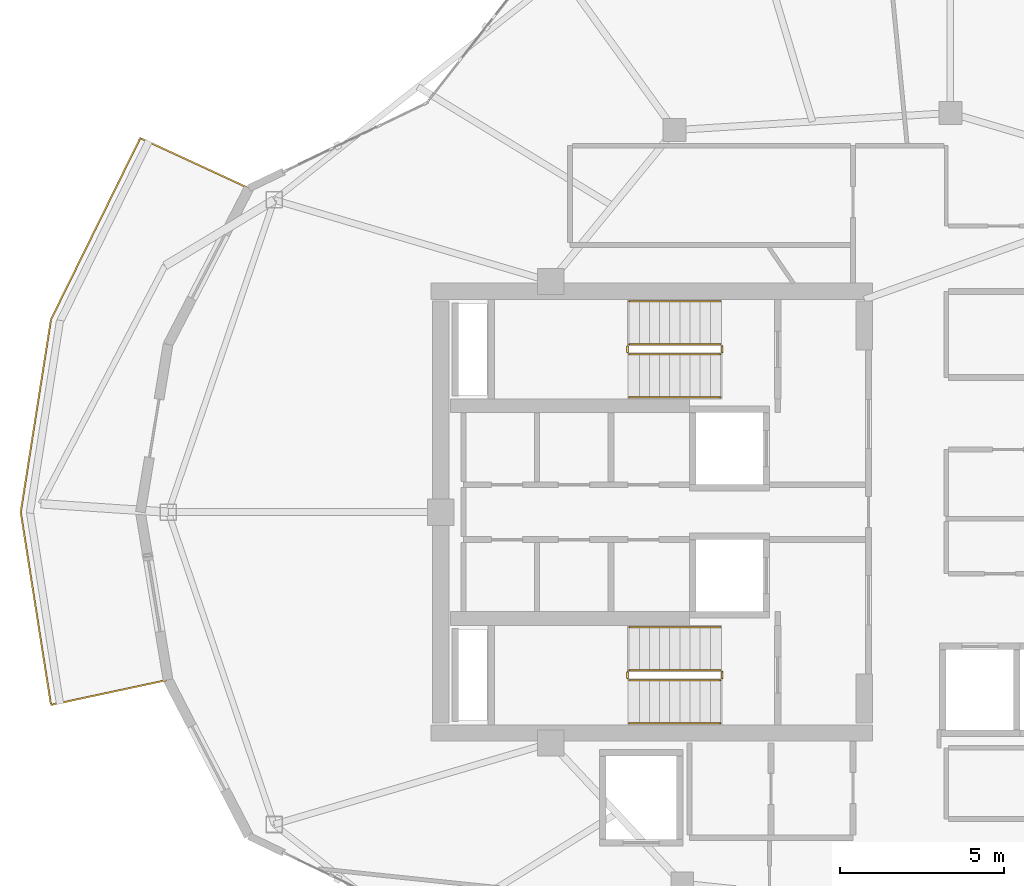
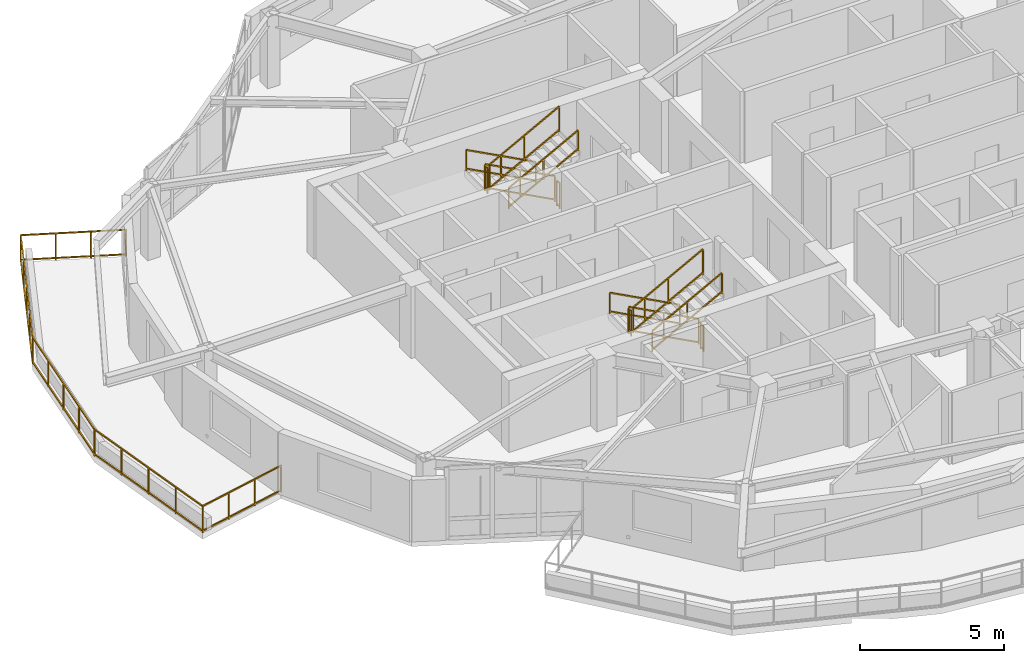
# One storey, part 12 of 14: 13 railings.
"""IFC4 building model written with IfcOpenShell, lengths in metres."""

from ifc_helpers import new_model, si_unit, direction, frame, origin, origin_2d, place, context, subcontext, project, spatial, rectangle, extrude, material, type_object, element, save


model = new_model("IFC4")

# Units and contexts
model_context = context("Model", 3, precision=1e-05, world=origin(), true_north=direction((0.0, 1.0)))
body_context = subcontext(model_context, "Body", "Model", "MODEL_VIEW")
ifc_project = project(units=[si_unit("LENGTHUNIT", "METRE"), si_unit("AREAUNIT", "SQUARE_METRE"), si_unit("VOLUMEUNIT", "CUBIC_METRE"), si_unit("PLANEANGLEUNIT", "RADIAN"), si_unit("MASSUNIT", "GRAM", prefix="KILO")], contexts=[model_context])

# Site, building, storey
site_placement = place(None, origin())
site = spatial("IfcSite", under=ifc_project, at=site_placement, CompositionType="ELEMENT")
building_placement = place(site_placement, origin())
building = spatial("IfcBuilding", under=site, at=building_placement, Name="Kolvaren Gate Tower and Convention Centre", CompositionType="ELEMENT")
storey_placement = place(building_placement, frame((0.0, 0.0, 206.300048828125)))
storey = spatial("IfcBuildingStorey", under=building, at=storey_placement, Name="L54", CompositionType="ELEMENT", Elevation=206.300048828125)

# Railings
ifc_material = material(Name="Brushed Stainless Steel Grade 316L", Category="steel")
railing_type_1 = type_object("IfcRailingType", Name="ARCH-RL-GUARD-1150", PredefinedType="GUARDRAIL", material=ifc_material)
railing_1_placement = place(storey_placement, frame((23.10009765625, 32.1298828125, 0.1650390625)))
element("IfcRailing", 1, at=railing_1_placement, inside=storey, type_object=railing_type_1, Name="L54 ST-T1 stair guard 1", PredefinedType="GUARDRAIL", context=body_context, shape_type="SweptSolid", body=[
    extrude(rectangle(XDim=0.048095703125, YDim=0.048095703125, at=origin_2d()), frame((0.0, 0.0, 1.076171875), z_axis=(-0.882767428149, 0.0, 0.469810246588), x_axis=(0.0, -1.0, 0.0)), (0.0, 0.0, 1.0), 3.16064453125),
    extrude(rectangle(XDim=0.048095703125, YDim=0.048095703125, at=origin_2d()), frame((0.0, 0.0, 0.083984375), z_axis=(-0.882767428149, 0.0, 0.469810246588), x_axis=(0.0, -1.0, 0.0)), (0.0, 0.0, 1.0), 3.16064453125),
    extrude(rectangle(XDim=0.0419921875, YDim=0.0419921875, at=origin_2d()), origin(), (0.0, 0.0, 1.0), 1.050048828125),
    extrude(rectangle(XDim=0.0419921875, YDim=0.0419921875, at=origin_2d()), frame((-2.7900390625, 0.0, 1.48486328125)), (0.0, 0.0, 1.0), 1.050048828125),
    extrude(rectangle(XDim=0.0419921875, YDim=0.0419921875, at=origin_2d()), frame((-1.39501953125, 0.0, 0.742431640625)), (0.0, 0.0, 1.0), 1.050048828125),
])
railing_2_placement = place(storey_placement, frame((20.260009765625, 32.080078125, 1.64990234375)))
element("IfcRailing", 2, at=railing_2_placement, inside=storey, type_object=railing_type_1, Name="L54 ST-T1 stair guard 2", PredefinedType="GUARDRAIL", context=body_context, shape_type="SweptSolid", body=[
    extrude(rectangle(XDim=0.048095703125, YDim=0.048095703125, at=origin_2d()), frame((0.0, 0.0, 1.076171875), z_axis=(0.0, -1.0, 0.0), x_axis=(1.0, 0.0, 0.0)), (0.0, 0.0, 1.0), 0.2001953125),
    extrude(rectangle(XDim=0.048095703125, YDim=0.048095703125, at=origin_2d()), frame((0.0, 0.0, 0.083984375), z_axis=(0.0, -1.0, 0.0), x_axis=(1.0, 0.0, 0.0)), (0.0, 0.0, 1.0), 0.2001953125),
    extrude(rectangle(XDim=0.0419921875, YDim=0.0419921875, at=origin_2d()), origin(), (0.0, 0.0, 1.0), 1.050048828125),
    extrude(rectangle(XDim=0.0419921875, YDim=0.0419921875, at=origin_2d()), frame((0.0, -0.2001953125, 0.0)), (0.0, 0.0, 1.0), 1.050048828125),
])
railing_3_placement = place(storey_placement, frame((20.31005859375, 31.830078125, 1.81494140625)))
element("IfcRailing", 3, at=railing_3_placement, inside=storey, type_object=railing_type_1, Name="L54 ST-T1 stair guard 3", PredefinedType="GUARDRAIL", context=body_context, shape_type="SweptSolid", body=[
    extrude(rectangle(XDim=0.048095703125, YDim=0.048095703125, at=origin_2d()), frame((0.0, 0.0, 1.076171875), z_axis=(0.882735390775, 0.0, 0.469870439454), x_axis=(0.0, 1.0, 0.0)), (0.0, 0.0, 1.0), 3.16064453125),
    extrude(rectangle(XDim=0.048095703125, YDim=0.048095703125, at=origin_2d()), frame((0.0, 0.0, 0.083984375), z_axis=(0.882735390775, 0.0, 0.469870439454), x_axis=(0.0, 1.0, 0.0)), (0.0, 0.0, 1.0), 3.16064453125),
    extrude(rectangle(XDim=0.0419921875, YDim=0.0419921875, at=origin_2d()), origin(), (0.0, 0.0, 1.0), 1.050048828125),
    extrude(rectangle(XDim=0.0419921875, YDim=0.0419921875, at=origin_2d()), frame((2.7900390625, 0.0, 1.485107421875)), (0.0, 0.0, 1.0), 1.050048828125),
    extrude(rectangle(XDim=0.0419921875, YDim=0.0419921875, at=origin_2d()), frame((1.39501953125, 0.0, 0.74267578125)), (0.0, 0.0, 1.0), 1.050048828125),
])
railing_4_placement = place(storey_placement, frame((23.14990234375, 32.080078125, 0.0)))
element("IfcRailing", 4, at=railing_4_placement, inside=storey, type_object=railing_type_1, Name="L54 ST-T1 stair guard 4", PredefinedType="GUARDRAIL", context=body_context, shape_type="SweptSolid", body=[
    extrude(rectangle(XDim=0.048095703125, YDim=0.048095703125, at=origin_2d()), frame((0.0, 0.0, 1.076171875), z_axis=(0.0, -1.0, 0.0), x_axis=(1.0, 0.0, 0.0)), (0.0, 0.0, 1.0), 0.2001953125),
    extrude(rectangle(XDim=0.048095703125, YDim=0.048095703125, at=origin_2d()), frame((0.0, 0.0, 0.083984375), z_axis=(0.0, -1.0, 0.0), x_axis=(1.0, 0.0, 0.0)), (0.0, 0.0, 1.0), 0.2001953125),
    extrude(rectangle(XDim=0.0419921875, YDim=0.0419921875, at=origin_2d()), origin(), (0.0, 0.0, 1.0), 1.050048828125),
    extrude(rectangle(XDim=0.0419921875, YDim=0.0419921875, at=origin_2d()), frame((0.0, -0.2001953125, 0.0)), (0.0, 0.0, 1.0), 1.050048828125),
])
railing_5_placement = place(storey_placement, frame((23.10009765625, 22.169921875, 0.1650390625)))
element("IfcRailing", 5, at=railing_5_placement, inside=storey, type_object=railing_type_1, Name="L54 ST-T2 stair guard 1", PredefinedType="GUARDRAIL", context=body_context, shape_type="SweptSolid", body=[
    extrude(rectangle(XDim=0.048095703125, YDim=0.048095703125, at=origin_2d()), frame((0.0, 0.0, 1.076171875), z_axis=(-0.882767428149, 0.0, 0.469810246588), x_axis=(0.0, -1.0, 0.0)), (0.0, 0.0, 1.0), 3.16064453125),
    extrude(rectangle(XDim=0.048095703125, YDim=0.048095703125, at=origin_2d()), frame((0.0, 0.0, 0.083984375), z_axis=(-0.882767428149, 0.0, 0.469810246588), x_axis=(0.0, -1.0, 0.0)), (0.0, 0.0, 1.0), 3.16064453125),
    extrude(rectangle(XDim=0.0419921875, YDim=0.0419921875, at=origin_2d()), origin(), (0.0, 0.0, 1.0), 1.050048828125),
    extrude(rectangle(XDim=0.0419921875, YDim=0.0419921875, at=origin_2d()), frame((-2.7900390625, 0.0, 1.48486328125)), (0.0, 0.0, 1.0), 1.050048828125),
    extrude(rectangle(XDim=0.0419921875, YDim=0.0419921875, at=origin_2d()), frame((-1.39501953125, 0.0, 0.742431640625)), (0.0, 0.0, 1.0), 1.050048828125),
])
railing_6_placement = place(storey_placement, frame((20.260009765625, 22.1201171875, 1.64990234375)))
element("IfcRailing", 6, at=railing_6_placement, inside=storey, type_object=railing_type_1, Name="L54 ST-T2 stair guard 2", PredefinedType="GUARDRAIL", context=body_context, shape_type="SweptSolid", body=[
    extrude(rectangle(XDim=0.048095703125, YDim=0.048095703125, at=origin_2d()), frame((0.0, 0.0, 1.076171875), z_axis=(0.0, -1.0, 0.0), x_axis=(1.0, 0.0, 0.0)), (0.0, 0.0, 1.0), 0.2001953125),
    extrude(rectangle(XDim=0.048095703125, YDim=0.048095703125, at=origin_2d()), frame((0.0, 0.0, 0.083984375), z_axis=(0.0, -1.0, 0.0), x_axis=(1.0, 0.0, 0.0)), (0.0, 0.0, 1.0), 0.2001953125),
    extrude(rectangle(XDim=0.0419921875, YDim=0.0419921875, at=origin_2d()), origin(), (0.0, 0.0, 1.0), 1.050048828125),
    extrude(rectangle(XDim=0.0419921875, YDim=0.0419921875, at=origin_2d()), frame((0.0, -0.2001953125, 0.0)), (0.0, 0.0, 1.0), 1.050048828125),
])
railing_7_placement = place(storey_placement, frame((20.31005859375, 21.8701171875, 1.81494140625)))
element("IfcRailing", 7, at=railing_7_placement, inside=storey, type_object=railing_type_1, Name="L54 ST-T2 stair guard 3", PredefinedType="GUARDRAIL", context=body_context, shape_type="SweptSolid", body=[
    extrude(rectangle(XDim=0.048095703125, YDim=0.048095703125, at=origin_2d()), frame((0.0, 0.0, 1.076171875), z_axis=(0.882735390775, 0.0, 0.469870439454), x_axis=(0.0, 1.0, 0.0)), (0.0, 0.0, 1.0), 3.16064453125),
    extrude(rectangle(XDim=0.048095703125, YDim=0.048095703125, at=origin_2d()), frame((0.0, 0.0, 0.083984375), z_axis=(0.882735390775, 0.0, 0.469870439454), x_axis=(0.0, 1.0, 0.0)), (0.0, 0.0, 1.0), 3.16064453125),
    extrude(rectangle(XDim=0.0419921875, YDim=0.0419921875, at=origin_2d()), origin(), (0.0, 0.0, 1.0), 1.050048828125),
    extrude(rectangle(XDim=0.0419921875, YDim=0.0419921875, at=origin_2d()), frame((2.7900390625, 0.0, 1.485107421875)), (0.0, 0.0, 1.0), 1.050048828125),
    extrude(rectangle(XDim=0.0419921875, YDim=0.0419921875, at=origin_2d()), frame((1.39501953125, 0.0, 0.74267578125)), (0.0, 0.0, 1.0), 1.050048828125),
])
railing_8_placement = place(storey_placement, frame((23.14990234375, 22.1201171875, 0.0)))
element("IfcRailing", 8, at=railing_8_placement, inside=storey, type_object=railing_type_1, Name="L54 ST-T2 stair guard 4", PredefinedType="GUARDRAIL", context=body_context, shape_type="SweptSolid", body=[
    extrude(rectangle(XDim=0.048095703125, YDim=0.048095703125, at=origin_2d()), frame((0.0, 0.0, 1.076171875), z_axis=(0.0, -1.0, 0.0), x_axis=(1.0, 0.0, 0.0)), (0.0, 0.0, 1.0), 0.2001953125),
    extrude(rectangle(XDim=0.048095703125, YDim=0.048095703125, at=origin_2d()), frame((0.0, 0.0, 0.083984375), z_axis=(0.0, -1.0, 0.0), x_axis=(1.0, 0.0, 0.0)), (0.0, 0.0, 1.0), 0.2001953125),
    extrude(rectangle(XDim=0.0419921875, YDim=0.0419921875, at=origin_2d()), origin(), (0.0, 0.0, 1.0), 1.050048828125),
    extrude(rectangle(XDim=0.0419921875, YDim=0.0419921875, at=origin_2d()), frame((0.0, -0.2001953125, 0.0)), (0.0, 0.0, 1.0), 1.050048828125),
])
railing_9_placement = place(storey_placement, frame((8.69091796875, 36.89990234375, 0.0)))
element("IfcRailing", 9, at=railing_9_placement, inside=storey, type_object=railing_type_1, Name="Tower L54 Terrace Perimeter Guardrail GR-2", PredefinedType="GUARDRAIL", context=body_context, shape_type="SweptSolid", body=[
    extrude(rectangle(XDim=0.048095703125, YDim=0.048095703125, at=origin_2d()), frame((-0.025390625, 0.01171875, 1.1259765625), z_axis=(-0.907820723829, 0.419358478377, 0.0), x_axis=(-0.419358478377, -0.907820723829, 0.0)), (0.0, 0.0, 1.0), 3.60400390625),
    extrude(rectangle(XDim=0.048095703125, YDim=0.048095703125, at=origin_2d()), frame((-0.025390625, 0.01171875, 0.083984375), z_axis=(-0.907820723829, 0.419358478377, 0.0), x_axis=(-0.419358478377, -0.907820723829, 0.0)), (0.0, 0.0, 1.0), 3.60400390625),
    extrude(rectangle(XDim=0.048095703125, YDim=0.048095703125, at=origin_2d()), frame((-3.335205078125, 1.509765625, 1.1259765625), z_axis=(-0.441625304244, -0.897199582396, 0.0), x_axis=(0.897199582396, -0.441625304244, 0.0)), (0.0, 0.0, 1.0), 6.122314453125),
    extrude(rectangle(XDim=0.048095703125, YDim=0.048095703125, at=origin_2d()), frame((-3.335205078125, 1.509765625, 0.083984375), z_axis=(-0.441625304244, -0.897199582396, 0.0), x_axis=(0.897199582396, -0.441625304244, 0.0)), (0.0, 0.0, 1.0), 6.122314453125),
    extrude(rectangle(XDim=0.048095703125, YDim=0.048095703125, at=origin_2d()), frame((-6.0556640625, -4.035888671875, 1.1259765625), z_axis=(-0.155031225865, -0.987909570258, 0.0), x_axis=(0.987909570258, -0.155031225865, 0.0)), (0.0, 0.0, 1.0), 5.90771484375),
    extrude(rectangle(XDim=0.048095703125, YDim=0.048095703125, at=origin_2d()), frame((-6.0556640625, -4.035888671875, 0.083984375), z_axis=(-0.155031225865, -0.987909570258, 0.0), x_axis=(0.987909570258, -0.155031225865, 0.0)), (0.0, 0.0, 1.0), 5.90771484375),
    extrude(rectangle(XDim=0.048095703125, YDim=0.048095703125, at=origin_2d()), frame((-6.971435546875, -9.927490234375, 1.1259765625), z_axis=(0.155031225865, -0.987909570258, 0.0), x_axis=(0.987909570258, 0.155031225865, 0.0)), (0.0, 0.0, 1.0), 5.90771484375),
    extrude(rectangle(XDim=0.048095703125, YDim=0.048095703125, at=origin_2d()), frame((-6.971435546875, -9.927490234375, 0.083984375), z_axis=(0.155031225865, -0.987909570258, 0.0), x_axis=(0.987909570258, 0.155031225865, 0.0)), (0.0, 0.0, 1.0), 5.90771484375),
    extrude(rectangle(XDim=0.048095703125, YDim=0.048095703125, at=origin_2d()), frame((-6.02392578125, -15.78564453125, 1.1259765625), z_axis=(0.977788745232, 0.209592866525, 0.0), x_axis=(-0.209592866525, 0.977788745232, 0.0)), (0.0, 0.0, 1.0), 3.603759765625),
    extrude(rectangle(XDim=0.048095703125, YDim=0.048095703125, at=origin_2d()), frame((-6.02392578125, -15.78564453125, 0.083984375), z_axis=(0.977788745232, 0.209592866525, 0.0), x_axis=(-0.209592866525, 0.977788745232, 0.0)), (0.0, 0.0, 1.0), 3.603759765625),
    extrude(rectangle(XDim=0.0419921875, YDim=0.0419921875, at=origin_2d()), origin(), (0.0, 0.0, 1.0), 1.14990234375),
    extrude(rectangle(XDim=0.0419921875, YDim=0.0419921875, at=origin_2d()), frame((-3.32275390625, 1.534912109375, 0.0)), (0.0, 0.0, 1.0), 1.14990234375),
    extrude(rectangle(XDim=0.0419921875, YDim=0.0419921875, at=origin_2d()), frame((-1.107666015625, 0.51171875, 0.0)), (0.0, 0.0, 1.0), 1.099853515625),
    extrude(rectangle(XDim=0.0419921875, YDim=0.0419921875, at=origin_2d()), frame((-2.215087890625, 1.023193359375, 0.0)), (0.0, 0.0, 1.0), 1.099853515625),
    extrude(rectangle(XDim=0.0419921875, YDim=0.0419921875, at=origin_2d()), frame((-6.05126953125, -4.00830078125, 0.0)), (0.0, 0.0, 1.0), 1.14990234375),
    extrude(rectangle(XDim=0.0419921875, YDim=0.0419921875, at=origin_2d()), frame((-4.0048828125, 0.149169921875, 0.0)), (0.0, 0.0, 1.0), 1.099853515625),
    extrude(rectangle(XDim=0.0419921875, YDim=0.0419921875, at=origin_2d()), frame((-4.68701171875, -1.23681640625, 0.0)), (0.0, 0.0, 1.0), 1.099853515625),
    extrude(rectangle(XDim=0.0419921875, YDim=0.0419921875, at=origin_2d()), frame((-5.369140625, -2.62255859375, 0.0)), (0.0, 0.0, 1.0), 1.099853515625),
    extrude(rectangle(XDim=0.0419921875, YDim=0.0419921875, at=origin_2d()), frame((-6.975830078125, -9.89990234375, 0.0)), (0.0, 0.0, 1.0), 1.14990234375),
    extrude(rectangle(XDim=0.0419921875, YDim=0.0419921875, at=origin_2d()), frame((-6.282470703125, -5.481201171875, 0.0)), (0.0, 0.0, 1.0), 1.099853515625),
    extrude(rectangle(XDim=0.0419921875, YDim=0.0419921875, at=origin_2d()), frame((-6.513671875, -6.9541015625, 0.0)), (0.0, 0.0, 1.0), 1.099853515625),
    extrude(rectangle(XDim=0.0419921875, YDim=0.0419921875, at=origin_2d()), frame((-6.74462890625, -8.427001953125, 0.0)), (0.0, 0.0, 1.0), 1.099853515625),
    extrude(rectangle(XDim=0.0419921875, YDim=0.0419921875, at=origin_2d()), frame((-6.05126953125, -15.79150390625, 0.0)), (0.0, 0.0, 1.0), 1.14990234375),
    extrude(rectangle(XDim=0.0419921875, YDim=0.0419921875, at=origin_2d()), frame((-6.74462890625, -11.372802734375, 0.0)), (0.0, 0.0, 1.0), 1.099853515625),
    extrude(rectangle(XDim=0.0419921875, YDim=0.0419921875, at=origin_2d()), frame((-6.513671875, -12.845703125, 0.0)), (0.0, 0.0, 1.0), 1.099853515625),
    extrude(rectangle(XDim=0.0419921875, YDim=0.0419921875, at=origin_2d()), frame((-6.282470703125, -14.318603515625, 0.0)), (0.0, 0.0, 1.0), 1.099853515625),
    extrude(rectangle(XDim=0.0419921875, YDim=0.0419921875, at=origin_2d()), frame((-2.47265625, -15.0244140625, 0.0)), (0.0, 0.0, 1.0), 1.14990234375),
    extrude(rectangle(XDim=0.0419921875, YDim=0.0419921875, at=origin_2d()), frame((-4.8583984375, -15.535888671875, 0.0)), (0.0, 0.0, 1.0), 1.099853515625),
    extrude(rectangle(XDim=0.0419921875, YDim=0.0419921875, at=origin_2d()), frame((-3.66552734375, -15.280029296875, 0.0)), (0.0, 0.0, 1.0), 1.099853515625),
])
railing_type_2 = type_object("IfcRailingType", Name="ARCH-RL-HANDRAIL-920", PredefinedType="HANDRAIL", material=ifc_material)
railing_10_placement = place(storey_placement, frame((23.10009765625, 33.449951171875, 0.1650390625)))
element("IfcRailing", 10, at=railing_10_placement, inside=storey, type_object=railing_type_2, Name="L54 ST-T1 stair handrail 1", PredefinedType="HANDRAIL", context=body_context, shape_type="SweptSolid", body=[
    extrude(rectangle(XDim=0.048095703125, YDim=0.048095703125, at=origin_2d()), frame((0.0, 0.0, 0.8759765625), z_axis=(-0.882767428149, 0.0, 0.469810246588), x_axis=(0.0, -1.0, 0.0)), (0.0, 0.0, 1.0), 3.16064453125),
    extrude(rectangle(XDim=0.048095703125, YDim=0.048095703125, at=origin_2d()), frame((0.0, 0.0, 0.083984375), z_axis=(-0.882767428149, 0.0, 0.469810246588), x_axis=(0.0, -1.0, 0.0)), (0.0, 0.0, 1.0), 3.16064453125),
    extrude(rectangle(XDim=0.0419921875, YDim=0.0419921875, at=origin_2d()), origin(), (0.0, 0.0, 1.0), 0.849853515625),
    extrude(rectangle(XDim=0.0419921875, YDim=0.0419921875, at=origin_2d()), frame((-2.7900390625, 0.0, 1.48486328125)), (0.0, 0.0, 1.0), 0.849853515625),
    extrude(rectangle(XDim=0.0419921875, YDim=0.0419921875, at=origin_2d()), frame((-1.39501953125, 0.0, 0.742431640625)), (0.0, 0.0, 1.0), 0.849853515625),
])
railing_11_placement = place(storey_placement, frame((20.31005859375, 30.510009765625, 1.81494140625)))
element("IfcRailing", 11, at=railing_11_placement, inside=storey, type_object=railing_type_2, Name="L54 ST-T1 stair handrail 2", PredefinedType="HANDRAIL", context=body_context, shape_type="SweptSolid", body=[
    extrude(rectangle(XDim=0.048095703125, YDim=0.048095703125, at=origin_2d()), frame((0.0, 0.0, 0.8759765625), z_axis=(0.882735390775, 0.0, 0.469870439454), x_axis=(0.0, 1.0, 0.0)), (0.0, 0.0, 1.0), 3.16064453125),
    extrude(rectangle(XDim=0.048095703125, YDim=0.048095703125, at=origin_2d()), frame((0.0, 0.0, 0.083984375), z_axis=(0.882735390775, 0.0, 0.469870439454), x_axis=(0.0, 1.0, 0.0)), (0.0, 0.0, 1.0), 3.16064453125),
    extrude(rectangle(XDim=0.0419921875, YDim=0.0419921875, at=origin_2d()), origin(), (0.0, 0.0, 1.0), 0.849853515625),
    extrude(rectangle(XDim=0.0419921875, YDim=0.0419921875, at=origin_2d()), frame((2.7900390625, 0.0, 1.485107421875)), (0.0, 0.0, 1.0), 0.849853515625),
    extrude(rectangle(XDim=0.0419921875, YDim=0.0419921875, at=origin_2d()), frame((1.39501953125, 0.0, 0.74267578125)), (0.0, 0.0, 1.0), 0.849853515625),
])
railing_12_placement = place(storey_placement, frame((23.10009765625, 23.489990234375, 0.1650390625)))
element("IfcRailing", 12, at=railing_12_placement, inside=storey, type_object=railing_type_2, Name="L54 ST-T2 stair handrail 1", PredefinedType="HANDRAIL", context=body_context, shape_type="SweptSolid", body=[
    extrude(rectangle(XDim=0.048095703125, YDim=0.048095703125, at=origin_2d()), frame((0.0, 0.0, 0.8759765625), z_axis=(-0.882767428149, 0.0, 0.469810246588), x_axis=(0.0, -1.0, 0.0)), (0.0, 0.0, 1.0), 3.16064453125),
    extrude(rectangle(XDim=0.048095703125, YDim=0.048095703125, at=origin_2d()), frame((0.0, 0.0, 0.083984375), z_axis=(-0.882767428149, 0.0, 0.469810246588), x_axis=(0.0, -1.0, 0.0)), (0.0, 0.0, 1.0), 3.16064453125),
    extrude(rectangle(XDim=0.0419921875, YDim=0.0419921875, at=origin_2d()), origin(), (0.0, 0.0, 1.0), 0.849853515625),
    extrude(rectangle(XDim=0.0419921875, YDim=0.0419921875, at=origin_2d()), frame((-2.7900390625, 0.0, 1.48486328125)), (0.0, 0.0, 1.0), 0.849853515625),
    extrude(rectangle(XDim=0.0419921875, YDim=0.0419921875, at=origin_2d()), frame((-1.39501953125, 0.0, 0.742431640625)), (0.0, 0.0, 1.0), 0.849853515625),
])
railing_13_placement = place(storey_placement, frame((20.31005859375, 20.550048828125, 1.81494140625)))
element("IfcRailing", 13, at=railing_13_placement, inside=storey, type_object=railing_type_2, Name="L54 ST-T2 stair handrail 2", PredefinedType="HANDRAIL", context=body_context, shape_type="SweptSolid", body=[
    extrude(rectangle(XDim=0.048095703125, YDim=0.048095703125, at=origin_2d()), frame((0.0, 0.0, 0.8759765625), z_axis=(0.882735390775, 0.0, 0.469870439454), x_axis=(0.0, 1.0, 0.0)), (0.0, 0.0, 1.0), 3.16064453125),
    extrude(rectangle(XDim=0.048095703125, YDim=0.048095703125, at=origin_2d()), frame((0.0, 0.0, 0.083984375), z_axis=(0.882735390775, 0.0, 0.469870439454), x_axis=(0.0, 1.0, 0.0)), (0.0, 0.0, 1.0), 3.16064453125),
    extrude(rectangle(XDim=0.0419921875, YDim=0.0419921875, at=origin_2d()), origin(), (0.0, 0.0, 1.0), 0.849853515625),
    extrude(rectangle(XDim=0.0419921875, YDim=0.0419921875, at=origin_2d()), frame((2.7900390625, 0.0, 1.485107421875)), (0.0, 0.0, 1.0), 0.849853515625),
    extrude(rectangle(XDim=0.0419921875, YDim=0.0419921875, at=origin_2d()), frame((1.39501953125, 0.0, 0.74267578125)), (0.0, 0.0, 1.0), 0.849853515625),
])

save(model, "model.ifc")
